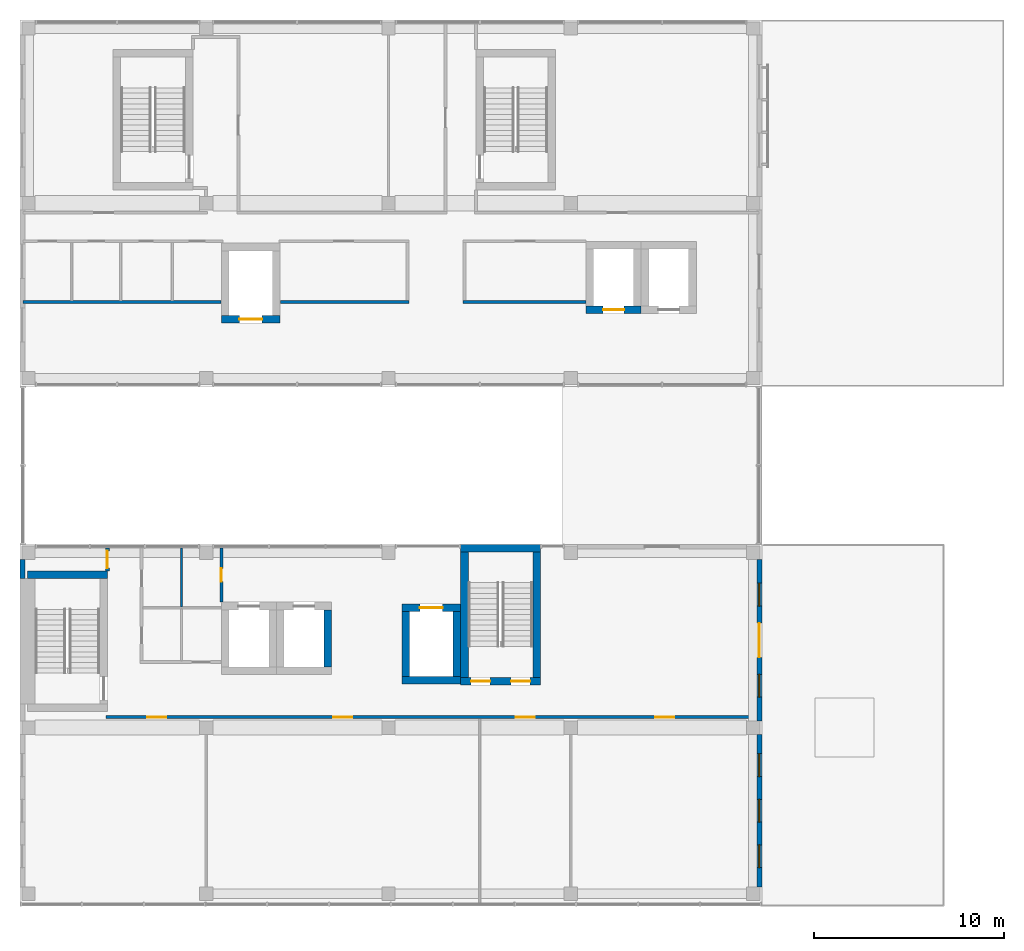
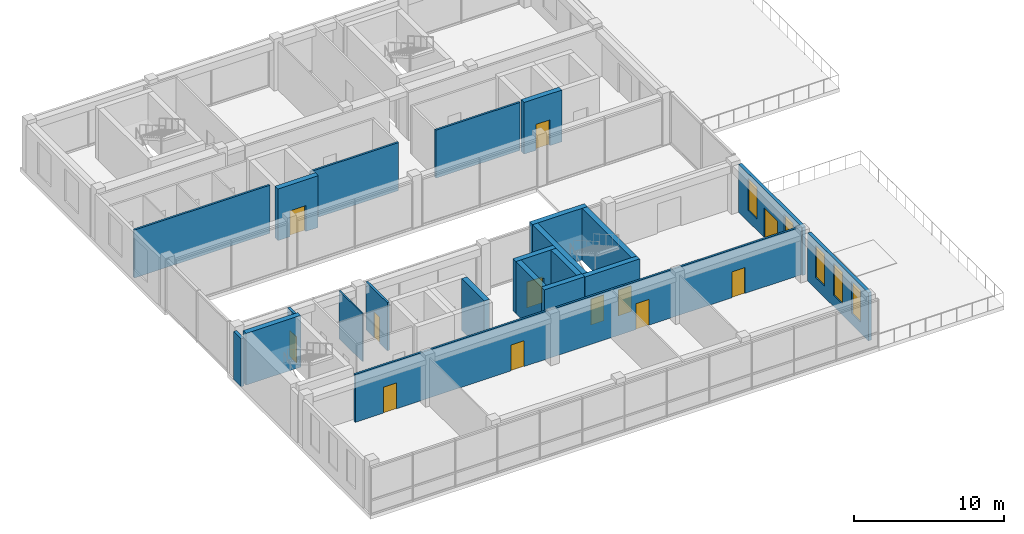
# One storey, part 19 of 27: 22 walls, 12 doors, 5 windows, 17 openings.
"""IFC4 building model written with IfcOpenShell, lengths in metres."""

from ifc_helpers import new_model, si_unit, direction, frame, frame_2d, origin, place, context, subcontext, project, spatial, rectangle, extrude, material, layer, layer_set, layer_usage, type_object, element, fill, save


model = new_model("IFC4")

# Units and contexts
model_context = context("Model", 3, precision=1e-05, world=origin(), true_north=direction((0.0, 1.0)))
body_context = subcontext(model_context, "Body", "Model", "MODEL_VIEW")
ifc_project = project(units=[si_unit("LENGTHUNIT", "METRE"), si_unit("AREAUNIT", "SQUARE_METRE"), si_unit("VOLUMEUNIT", "CUBIC_METRE"), si_unit("PLANEANGLEUNIT", "RADIAN"), si_unit("MASSUNIT", "GRAM", prefix="KILO")], contexts=[model_context])

# Site, building, storey
site_placement = place(None, origin())
site = spatial("IfcSite", under=ifc_project, at=site_placement, CompositionType="ELEMENT")
building_placement = place(site_placement, origin())
building = spatial("IfcBuilding", under=site, at=building_placement, Name="Nzadi Deep Aquarium and Research Tower", CompositionType="ELEMENT")
storey_placement = place(building_placement, frame((0.0, 0.0, 69.699951171875)))
storey = spatial("IfcBuildingStorey", under=building, at=storey_placement, Name="L14", CompositionType="ELEMENT", Elevation=69.699951171875)

# Wall, openings, windows, door
ifc_material_1 = material(Name="Concrete C35/45", Category="concrete")
ifc_layer_1 = layer(ifc_material_1, 0.14990234375, Category="cladding")
ifc_material_2 = material(Name="Mineral wool insulation")
ifc_layer_2 = layer(ifc_material_2, 0.070068359375, Category="insulation")
ifc_material_3 = material(Name="Gypsum board lining")
ifc_layer_3 = layer(ifc_material_3, 0.030029296875, Category="lining")
ifc_layer_set_1 = layer_set([ifc_layer_1, ifc_layer_2, ifc_layer_3], Name="Concrete C35/45, Mineral wool insulation, Gypsum board lining")
ifc_layer_usage_1 = layer_usage(ifc_layer_set_1, "AXIS2", "POSITIVE", -0.125)
wall_type_1 = type_object("IfcWallType", Name="End wall board-formed concrete 250", PredefinedType="ELEMENTEDWALL", material=ifc_layer_set_1)
wall_1_placement = place(storey_placement, frame((38.72509765625, 9.550048828125, 0.0), z_axis=(0.0, 0.0, 1.0), x_axis=(0.0, 1.0, 0.0)))
wall_1 = element("IfcWall", 1, at=wall_1_placement, inside=storey, type_object=wall_type_1, material=ifc_layer_usage_1, Name="End wall blade A east L14", PredefinedType="ELEMENTEDWALL", context=body_context, shape_type="SweptSolid", body=[
    extrude(rectangle(XDim=8.5, YDim=0.25, at=frame_2d((4.25, 0.0))), origin(), (0.0, 0.0, 1.0), 3.900146484375),
])
opening_1_placement = place(wall_1_placement, frame((3.35009765625, 0.0, 0.0)))
opening_1 = element("IfcOpeningElement", 2, at=opening_1_placement, cuts=wall_1, Name="Opening DE003", PredefinedType="OPENING", context=body_context, shape_type="SweptSolid", body=[
    extrude(rectangle(XDim=1.800048828125, YDim=2.39990234375, at=frame_2d((0.89990234375, 1.199951171875))), frame((0.0, 0.135009765625, 0.0), z_axis=(0.0, -1.0, 0.0), x_axis=(1.0, 0.0, 0.0)), (0.0, 0.0, 1.0), 0.27001953125),
])
opening_2_placement = place(wall_1_placement, frame((1.25, 0.0, 0.89990234375)))
opening_2 = element("IfcOpeningElement", 3, at=opening_2_placement, cuts=wall_1, Name="Opening WN04", PredefinedType="OPENING", context=body_context, shape_type="SweptSolid", body=[
    extrude(rectangle(XDim=1.199951171875, YDim=2.60009765625, at=frame_2d((0.60009765625, 1.300048828125))), frame((0.0, 0.135009765625, 0.0), z_axis=(0.0, -1.0, 0.0), x_axis=(1.0, 0.0, 0.0)), (0.0, 0.0, 1.0), 0.27001953125),
])
opening_3_placement = place(wall_1_placement, frame((6.050048828125, 0.0, 0.89990234375)))
opening_3 = element("IfcOpeningElement", 4, at=opening_3_placement, cuts=wall_1, Name="Opening WN04", PredefinedType="OPENING", context=body_context, shape_type="SweptSolid", body=[
    extrude(rectangle(XDim=1.199951171875, YDim=2.60009765625, at=frame_2d((0.60009765625, 1.300048828125))), frame((0.0, 0.135009765625, 0.0), z_axis=(0.0, -1.0, 0.0), x_axis=(1.0, 0.0, 0.0)), (0.0, 0.0, 1.0), 0.27001953125),
])
ifc_material_4 = material(Name="Aluminium window, sage tint glazing", Category="aluminium")
window_type = type_object("IfcWindowType", Name="Slot window 1200x2600 sill 900", PartitioningType="SINGLE_PANEL", PredefinedType="WINDOW", material=ifc_material_4)
window_1_placement = place(opening_2_placement, origin())
window_1 = element("IfcWindow", 5, at=window_1_placement, inside=storey, type_object=window_type, Name="Slot window L14 AE", OverallHeight=2.60009765625, OverallWidth=1.199951171875, PartitioningType="SINGLE_PANEL", PredefinedType="WINDOW", context=body_context, shape_type="SweptSolid", body=[
    extrude(rectangle(XDim=1.199951171875, YDim=2.60009765625, at=frame_2d((0.60009765625, 1.300048828125))), frame((0.0, 0.030029296875, 0.0), z_axis=(0.0, -1.0, 0.0), x_axis=(1.0, 0.0, 0.0)), (0.0, 0.0, 1.0), 0.06005859375),
])
fill(opening_2, window_1)
window_2_placement = place(opening_3_placement, origin())
window_2 = element("IfcWindow", 6, at=window_2_placement, inside=storey, type_object=window_type, Name="Slot window L14 AE", OverallHeight=2.60009765625, OverallWidth=1.199951171875, PartitioningType="SINGLE_PANEL", PredefinedType="WINDOW", context=body_context, shape_type="SweptSolid", body=[
    extrude(rectangle(XDim=1.199951171875, YDim=2.60009765625, at=frame_2d((0.60009765625, 1.300048828125))), frame((0.0, 0.030029296875, 0.0), z_axis=(0.0, -1.0, 0.0), x_axis=(1.0, 0.0, 0.0)), (0.0, 0.0, 1.0), 0.06005859375),
])
fill(opening_3, window_2)
ifc_material_5 = material(Name="Aluminium framed glazing", Category="aluminium")
door_type_1 = type_object("IfcDoorType", Name="Terrace double door 1800x2400", OperationType="DOUBLE_DOOR_SINGLE_SWING", PredefinedType="DOOR", material=ifc_material_5)
door_1_placement = place(opening_1_placement, frame((1.800048828125, 0.0, 0.0), z_axis=(0.0, 0.0, 1.0), x_axis=(-1.0, 0.0, 0.0)))
door_1 = element("IfcDoor", 7, at=door_1_placement, inside=storey, type_object=door_type_1, Name="Terrace door L14", OperationType="DOUBLE_DOOR_SINGLE_SWING", OverallHeight=2.39990234375, OverallWidth=1.800048828125, PredefinedType="DOOR", context=body_context, shape_type="SweptSolid", body=[
    extrude(rectangle(XDim=1.800048828125, YDim=2.39990234375, at=frame_2d((0.89990234375, 1.199951171875))), frame((0.0, 0.02490234375, 0.0), z_axis=(0.0, -1.0, 0.0), x_axis=(1.0, 0.0, 0.0)), (0.0, 0.0, 1.0), 0.050048828125),
])
fill(opening_1, door_1)

# Wall
ifc_material_6 = material(Name="Graphite aluminium shingle", Category="aluminium")
ifc_layer_4 = layer(ifc_material_6, 0.050048828125, Category="cladding")
ifc_layer_5 = layer(ifc_material_1, 0.10009765625, Category="cladding")
ifc_layer_6 = layer(ifc_material_2, 0.070068359375, Category="insulation")
ifc_layer_7 = layer(ifc_material_3, 0.030029296875, Category="lining")
ifc_layer_set_2 = layer_set([ifc_layer_4, ifc_layer_5, ifc_layer_6, ifc_layer_7], Name="Graphite aluminium shingle, Concrete C35/45, Mineral wool insulation, Gypsum board lining")
ifc_layer_usage_2 = layer_usage(ifc_layer_set_2, "AXIS2", "POSITIVE", -0.125)
wall_type_2 = type_object("IfcWallType", Name="End wall shingle over board-formed concrete 250", PredefinedType="ELEMENTEDWALL", material=ifc_layer_set_2)
wall_2_placement = place(storey_placement, frame((-0.074462890625, 18.050048828125, 0.0), z_axis=(0.0, 0.0, 1.0), x_axis=(0.0, -1.0, 0.0)))
element("IfcWall", 8, at=wall_2_placement, inside=storey, type_object=wall_type_2, material=ifc_layer_usage_2, Name="End wall blade A west L14", PredefinedType="ELEMENTEDWALL", context=body_context, shape_type="SweptSolid", body=[
    extrude(rectangle(XDim=1.0, YDim=0.25, at=frame_2d((0.5, 0.0))), origin(), (0.0, 0.0, 1.0), 3.900146484375),
])

# Wall, openings, windows
ifc_layer_usage_3 = layer_usage(ifc_layer_set_2, "AXIS2", "POSITIVE", -0.125)
wall_3_placement = place(storey_placement, frame((38.72509765625, 0.800048828125, 0.0), z_axis=(0.0, 0.0, 1.0), x_axis=(0.0, 1.0, 0.0)))
wall_3 = element("IfcWall", 9, at=wall_3_placement, inside=storey, type_object=wall_type_2, material=ifc_layer_usage_3, Name="End wall blade A east L14", PredefinedType="ELEMENTEDWALL", context=body_context, shape_type="SweptSolid", body=[
    extrude(rectangle(XDim=8.050048828125, YDim=0.25, at=frame_2d((4.02490234375, 0.0))), origin(), (0.0, 0.0, 1.0), 3.900146484375),
])
opening_4_placement = place(wall_3_placement, frame((1.02490234375, 0.0, 0.89990234375)))
opening_4 = element("IfcOpeningElement", 10, at=opening_4_placement, cuts=wall_3, Name="Opening WN04", PredefinedType="OPENING", context=body_context, shape_type="SweptSolid", body=[
    extrude(rectangle(XDim=1.199951171875, YDim=2.60009765625, at=frame_2d((0.60009765625, 1.300048828125))), frame((0.0, 0.135009765625, 0.0), z_axis=(0.0, -1.0, 0.0), x_axis=(1.0, 0.0, 0.0)), (0.0, 0.0, 1.0), 0.27001953125),
])
opening_5_placement = place(wall_3_placement, frame((3.425048828125, 0.0, 0.89990234375)))
opening_5 = element("IfcOpeningElement", 11, at=opening_5_placement, cuts=wall_3, Name="Opening WN04", PredefinedType="OPENING", context=body_context, shape_type="SweptSolid", body=[
    extrude(rectangle(XDim=1.199951171875, YDim=2.60009765625, at=frame_2d((0.60009765625, 1.300048828125))), frame((0.0, 0.135009765625, 0.0), z_axis=(0.0, -1.0, 0.0), x_axis=(1.0, 0.0, 0.0)), (0.0, 0.0, 1.0), 0.27001953125),
])
opening_6_placement = place(wall_3_placement, frame((5.824951171875, 0.0, 0.89990234375)))
opening_6 = element("IfcOpeningElement", 12, at=opening_6_placement, cuts=wall_3, Name="Opening WN04", PredefinedType="OPENING", context=body_context, shape_type="SweptSolid", body=[
    extrude(rectangle(XDim=1.199951171875, YDim=2.60009765625, at=frame_2d((0.60009765625, 1.300048828125))), frame((0.0, 0.135009765625, 0.0), z_axis=(0.0, -1.0, 0.0), x_axis=(1.0, 0.0, 0.0)), (0.0, 0.0, 1.0), 0.27001953125),
])
window_3_placement = place(opening_4_placement, origin())
window_3 = element("IfcWindow", 13, at=window_3_placement, inside=storey, type_object=window_type, Name="Slot window L14 AE", OverallHeight=2.60009765625, OverallWidth=1.199951171875, PartitioningType="SINGLE_PANEL", PredefinedType="WINDOW", context=body_context, shape_type="SweptSolid", body=[
    extrude(rectangle(XDim=1.199951171875, YDim=2.60009765625, at=frame_2d((0.60009765625, 1.300048828125))), frame((0.0, 0.030029296875, 0.0), z_axis=(0.0, -1.0, 0.0), x_axis=(1.0, 0.0, 0.0)), (0.0, 0.0, 1.0), 0.06005859375),
])
fill(opening_4, window_3)
window_4_placement = place(opening_5_placement, origin())
window_4 = element("IfcWindow", 14, at=window_4_placement, inside=storey, type_object=window_type, Name="Slot window L14 AE", OverallHeight=2.60009765625, OverallWidth=1.199951171875, PartitioningType="SINGLE_PANEL", PredefinedType="WINDOW", context=body_context, shape_type="SweptSolid", body=[
    extrude(rectangle(XDim=1.199951171875, YDim=2.60009765625, at=frame_2d((0.60009765625, 1.300048828125))), frame((0.0, 0.030029296875, 0.0), z_axis=(0.0, -1.0, 0.0), x_axis=(1.0, 0.0, 0.0)), (0.0, 0.0, 1.0), 0.06005859375),
])
fill(opening_5, window_4)
window_5_placement = place(opening_6_placement, origin())
window_5 = element("IfcWindow", 15, at=window_5_placement, inside=storey, type_object=window_type, Name="Slot window L14 AE", OverallHeight=2.60009765625, OverallWidth=1.199951171875, PartitioningType="SINGLE_PANEL", PredefinedType="WINDOW", context=body_context, shape_type="SweptSolid", body=[
    extrude(rectangle(XDim=1.199951171875, YDim=2.60009765625, at=frame_2d((0.60009765625, 1.300048828125))), frame((0.0, 0.030029296875, 0.0), z_axis=(0.0, -1.0, 0.0), x_axis=(1.0, 0.0, 0.0)), (0.0, 0.0, 1.0), 0.06005859375),
])
fill(opening_6, window_5)

# Walls
ifc_material_7 = material(Name="Blockwork masonry", Category="masonry")
ifc_layer_8 = layer(ifc_material_7, 0.10009765625)
ifc_layer_set_3 = layer_set([ifc_layer_8], Name="Blockwork masonry")
wall_type_3 = type_object("IfcWallType", Name="Partition 100 EI 30", PredefinedType="PARTITIONING", material=ifc_layer_set_3)
wall_4_placement = place(storey_placement, frame((8.300048828125, 15.550048828125, 0.0), z_axis=(0.0, 0.0, 1.0), x_axis=(0.0, 1.0, 0.0)))
element("IfcWall", 16, at=wall_4_placement, inside=storey, type_object=wall_type_3, Name="W-Z1-L14-P013", PredefinedType="PARTITIONING", context=body_context, shape_type="SweptSolid", body=[
    extrude(rectangle(XDim=3.093994140625, YDim=0.10009765625, at=frame_2d((1.546875, 0.0))), origin(), (0.0, 0.0, 1.0), 3.900146484375),
])
ifc_material_8 = material(Name="Blockwork masonry", Category="masonry")
ifc_layer_9 = layer(ifc_material_8, 0.14990234375)
ifc_layer_set_4 = layer_set([ifc_layer_9], Name="Blockwork masonry")
wall_type_4 = type_object("IfcWallType", Name="Partition 150 EI 60", PredefinedType="PARTITIONING", material=ifc_layer_set_4)
wall_5_placement = place(storey_placement, frame((-0.0439453125, 31.60009765625, 0.0), z_axis=(0.0, 0.0, 1.0), x_axis=(1.0, 0.0, 0.0)))
element("IfcWall", 17, at=wall_5_placement, inside=storey, type_object=wall_type_4, Name="W-Z1-L14-P001", PredefinedType="PARTITIONING", context=body_context, shape_type="SweptSolid", body=[
    extrude(rectangle(XDim=10.43798828125, YDim=0.14990234375, at=frame_2d((5.218994140625, 0.0))), origin(), (0.0, 0.0, 1.0), 3.900146484375),
])

# Wall, openings, doors
wall_6_placement = place(storey_placement, frame((4.324951171875, 9.75, 0.0), z_axis=(0.0, 0.0, 1.0), x_axis=(1.0, 0.0, 0.0)))
wall_6 = element("IfcWall", 18, at=wall_6_placement, inside=storey, type_object=wall_type_4, Name="W-Z1-L14-P006", PredefinedType="PARTITIONING", context=body_context, shape_type="SweptSolid", body=[
    extrude(rectangle(XDim=34.369140625, YDim=0.14990234375, at=frame_2d((17.1845703125, 0.0))), origin(), (0.0, 0.0, 1.0), 3.900146484375),
])
opening_7_placement = place(wall_6_placement, frame((2.175048828125, 0.0, 0.0)))
opening_7 = element("IfcOpeningElement", 19, at=opening_7_placement, cuts=wall_6, Name="Opening D151006", PredefinedType="OPENING", context=body_context, shape_type="SweptSolid", body=[
    extrude(rectangle(XDim=1.0, YDim=2.10009765625, at=frame_2d((0.5, 1.050048828125))), frame((0.0, 0.0849609375, 0.0), z_axis=(0.0, -1.0, 0.0), x_axis=(1.0, 0.0, 0.0)), (0.0, 0.0, 1.0), 0.169921875),
])
opening_8_placement = place(wall_6_placement, frame((11.97509765625, 0.0, 0.0)))
opening_8 = element("IfcOpeningElement", 20, at=opening_8_placement, cuts=wall_6, Name="Opening D151007", PredefinedType="OPENING", context=body_context, shape_type="SweptSolid", body=[
    extrude(rectangle(XDim=1.0, YDim=2.10009765625, at=frame_2d((0.5, 1.050048828125))), frame((0.0, 0.0849609375, 0.0), z_axis=(0.0, -1.0, 0.0), x_axis=(1.0, 0.0, 0.0)), (0.0, 0.0, 1.0), 0.169921875),
])
opening_9_placement = place(wall_6_placement, frame((21.574951171875, 0.0, 0.0)))
opening_9 = element("IfcOpeningElement", 21, at=opening_9_placement, cuts=wall_6, Name="Opening D151008", PredefinedType="OPENING", context=body_context, shape_type="SweptSolid", body=[
    extrude(rectangle(XDim=1.0, YDim=2.10009765625, at=frame_2d((0.5, 1.050048828125))), frame((0.0, 0.0849609375, 0.0), z_axis=(0.0, -1.0, 0.0), x_axis=(1.0, 0.0, 0.0)), (0.0, 0.0, 1.0), 0.169921875),
])
opening_10_placement = place(wall_6_placement, frame((28.925048828125, 0.0, 0.0)))
opening_10 = element("IfcOpeningElement", 22, at=opening_10_placement, cuts=wall_6, Name="Opening D151009", PredefinedType="OPENING", context=body_context, shape_type="SweptSolid", body=[
    extrude(rectangle(XDim=1.0, YDim=2.10009765625, at=frame_2d((0.5, 1.050048828125))), frame((0.0, 0.0849609375, 0.0), z_axis=(0.0, -1.0, 0.0), x_axis=(1.0, 0.0, 0.0)), (0.0, 0.0, 1.0), 0.169921875),
])
ifc_material_9 = material(Name="Fire-rated steel door", Category="steel")
ifc_layer_10 = layer(ifc_material_9, 0.050048828125)
ifc_layer_set_5 = layer_set([ifc_layer_10], Name="Fire-rated steel door")
door_type_2 = type_object("IfcDoorType", Name="Door 1000x2100 EI 60 single", OperationType="SINGLE_SWING_LEFT", PredefinedType="DOOR", material=ifc_layer_set_5)
door_2_placement = place(opening_7_placement, origin())
door_2 = element("IfcDoor", 23, at=door_2_placement, inside=storey, type_object=door_type_2, Name="D151006", OperationType="SINGLE_SWING_RIGHT", OverallHeight=2.10009765625, OverallWidth=1.0, PredefinedType="DOOR", context=body_context, shape_type="SweptSolid", body=[
    extrude(rectangle(XDim=1.0, YDim=2.10009765625, at=frame_2d((0.5, 1.050048828125))), frame((0.0, 0.02490234375, 0.0), z_axis=(0.0, -1.0, 0.0), x_axis=(1.0, 0.0, 0.0)), (0.0, 0.0, 1.0), 0.050048828125),
])
fill(opening_7, door_2)
door_3_placement = place(opening_8_placement, origin())
door_3 = element("IfcDoor", 24, at=door_3_placement, inside=storey, type_object=door_type_2, Name="D151007", OperationType="SINGLE_SWING_RIGHT", OverallHeight=2.10009765625, OverallWidth=1.0, PredefinedType="DOOR", context=body_context, shape_type="SweptSolid", body=[
    extrude(rectangle(XDim=1.0, YDim=2.10009765625, at=frame_2d((0.5, 1.050048828125))), frame((0.0, 0.02490234375, 0.0), z_axis=(0.0, -1.0, 0.0), x_axis=(1.0, 0.0, 0.0)), (0.0, 0.0, 1.0), 0.050048828125),
])
fill(opening_8, door_3)
door_4_placement = place(opening_9_placement, origin())
door_4 = element("IfcDoor", 25, at=door_4_placement, inside=storey, type_object=door_type_2, Name="D151008", OperationType="SINGLE_SWING_LEFT", OverallHeight=2.10009765625, OverallWidth=1.0, PredefinedType="DOOR", context=body_context, shape_type="SweptSolid", body=[
    extrude(rectangle(XDim=1.0, YDim=2.10009765625, at=frame_2d((0.5, 1.050048828125))), frame((0.0, 0.02490234375, 0.0), z_axis=(0.0, -1.0, 0.0), x_axis=(1.0, 0.0, 0.0)), (0.0, 0.0, 1.0), 0.050048828125),
])
fill(opening_9, door_4)
door_5_placement = place(opening_10_placement, origin())
door_5 = element("IfcDoor", 26, at=door_5_placement, inside=storey, type_object=door_type_2, Name="D151009", OperationType="SINGLE_SWING_LEFT", OverallHeight=2.10009765625, OverallWidth=1.0, PredefinedType="DOOR", context=body_context, shape_type="SweptSolid", body=[
    extrude(rectangle(XDim=1.0, YDim=2.10009765625, at=frame_2d((0.5, 1.050048828125))), frame((0.0, 0.02490234375, 0.0), z_axis=(0.0, -1.0, 0.0), x_axis=(1.0, 0.0, 0.0)), (0.0, 0.0, 1.0), 0.050048828125),
])
fill(opening_10, door_5)

# Wall, opening, door
wall_7_placement = place(storey_placement, frame((10.39990234375, 15.805908203125, 0.0), z_axis=(0.0, 0.0, 1.0), x_axis=(0.0, 1.0, 0.0)))
wall_7 = element("IfcWall", 27, at=wall_7_placement, inside=storey, type_object=wall_type_4, Name="W-Z1-L14-P019", PredefinedType="PARTITIONING", context=body_context, shape_type="SweptSolid", body=[
    extrude(rectangle(XDim=2.838134765625, YDim=0.14990234375, at=frame_2d((1.4189453125, 0.0))), origin(), (0.0, 0.0, 1.0), 3.900146484375),
])
opening_11_placement = place(wall_7_placement, frame((1.073974609375, 0.0, 0.0)))
opening_11 = element("IfcOpeningElement", 28, at=opening_11_placement, cuts=wall_7, Name="Opening D151005", PredefinedType="OPENING", context=body_context, shape_type="SweptSolid", body=[
    extrude(rectangle(XDim=0.699951171875, YDim=2.10009765625, at=frame_2d((0.35009765625, 1.050048828125))), frame((0.0, 0.0849609375, 0.0), z_axis=(0.0, -1.0, 0.0), x_axis=(1.0, 0.0, 0.0)), (0.0, 0.0, 1.0), 0.169921875),
])
ifc_material_10 = material(Name="Fire-rated steel door", Category="steel")
ifc_layer_11 = layer(ifc_material_10, 0.050048828125)
ifc_layer_set_6 = layer_set([ifc_layer_11], Name="Fire-rated steel door")
door_type_3 = type_object("IfcDoorType", Name="Door 700x2100 EI 60 single", OperationType="SINGLE_SWING_LEFT", PredefinedType="DOOR", material=ifc_layer_set_6)
door_6_placement = place(opening_11_placement, origin())
door_6 = element("IfcDoor", 29, at=door_6_placement, inside=storey, type_object=door_type_3, Name="D151005", OperationType="SINGLE_SWING_LEFT", OverallHeight=2.10009765625, OverallWidth=0.699951171875, PredefinedType="DOOR", context=body_context, shape_type="SweptSolid", body=[
    extrude(rectangle(XDim=0.699951171875, YDim=2.10009765625, at=frame_2d((0.35009765625, 1.050048828125))), frame((0.0, 0.02490234375, 0.0), z_axis=(0.0, -1.0, 0.0), x_axis=(1.0, 0.0, 0.0)), (0.0, 0.0, 1.0), 0.050048828125),
])
fill(opening_11, door_6)

# Walls
wall_8_placement = place(storey_placement, frame((13.506103515625, 31.60009765625, 0.0), z_axis=(0.0, 0.0, 1.0), x_axis=(1.0, 0.0, 0.0)))
element("IfcWall", 30, at=wall_8_placement, inside=storey, type_object=wall_type_4, Name="W-Z1-L14-P023", PredefinedType="PARTITIONING", context=body_context, shape_type="SweptSolid", body=[
    extrude(rectangle(XDim=6.768798828125, YDim=0.14990234375, at=frame_2d((3.38427734375, 0.0))), origin(), (0.0, 0.0, 1.0), 3.900146484375),
])
wall_9_placement = place(storey_placement, frame((23.125, 31.60009765625, 0.0), z_axis=(0.0, 0.0, 1.0), x_axis=(1.0, 0.0, 0.0)))
element("IfcWall", 31, at=wall_9_placement, inside=storey, type_object=wall_type_4, Name="W-Z1-L14-P027", PredefinedType="PARTITIONING", context=body_context, shape_type="SweptSolid", body=[
    extrude(rectangle(XDim=6.468994140625, YDim=0.14990234375, at=frame_2d((3.234375, 0.0))), origin(), (0.0, 0.0, 1.0), 3.900146484375),
])

# Wall, opening, door
ifc_material_11 = material(Name="Blockwork masonry", Category="masonry")
ifc_layer_12 = layer(ifc_material_11, 0.199951171875)
ifc_layer_set_7 = layer_set([ifc_layer_12], Name="Blockwork masonry")
wall_type_5 = type_object("IfcWallType", Name="Partition 200 EI 120", PredefinedType="PARTITIONING", material=ifc_layer_set_7)
wall_10_placement = place(storey_placement, frame((4.39990234375, 17.4560546875, 0.0), z_axis=(0.0, 0.0, 1.0), x_axis=(0.0, 1.0, 0.0)))
wall_10 = element("IfcWall", 32, at=wall_10_placement, inside=storey, type_object=wall_type_5, Name="W-Z1-L14-P005", PredefinedType="PARTITIONING", context=body_context, shape_type="SweptSolid", body=[
    extrude(rectangle(XDim=1.18798828125, YDim=0.199951171875, at=frame_2d((0.593994140625, 0.0))), origin(), (0.0, 0.0, 1.0), 3.900146484375),
])
opening_12_placement = place(wall_10_placement, frame((0.14404296875, 0.0, 0.0)))
opening_12 = element("IfcOpeningElement", 33, at=opening_12_placement, cuts=wall_10, Name="Opening D151001", PredefinedType="OPENING", context=body_context, shape_type="SweptSolid", body=[
    extrude(rectangle(XDim=0.89990234375, YDim=2.10009765625, at=frame_2d((0.449951171875, 1.050048828125))), frame((0.0, 0.110107421875, 0.0), z_axis=(0.0, -1.0, 0.0), x_axis=(1.0, 0.0, 0.0)), (0.0, 0.0, 1.0), 0.22021484375),
])
ifc_material_12 = material(Name="Fire-rated steel door", Category="steel")
ifc_layer_13 = layer(ifc_material_12, 0.050048828125)
ifc_layer_set_8 = layer_set([ifc_layer_13], Name="Fire-rated steel door")
door_type_4 = type_object("IfcDoorType", Name="Door 900x2100 EI 120 single", OperationType="SINGLE_SWING_LEFT", PredefinedType="DOOR", material=ifc_layer_set_8)
door_7_placement = place(opening_12_placement, origin())
door_7 = element("IfcDoor", 34, at=door_7_placement, inside=storey, type_object=door_type_4, Name="D151001", OperationType="SINGLE_SWING_LEFT", OverallHeight=2.10009765625, OverallWidth=0.89990234375, PredefinedType="DOOR", context=body_context, shape_type="SweptSolid", body=[
    extrude(rectangle(XDim=0.89990234375, YDim=2.10009765625, at=frame_2d((0.449951171875, 1.050048828125))), frame((0.0, 0.02490234375, 0.0), z_axis=(0.0, -1.0, 0.0), x_axis=(1.0, 0.0, 0.0)), (0.0, 0.0, 1.0), 0.050048828125),
])
fill(opening_12, door_7)

# Wall
ifc_material_13 = material(Name="Concrete C35/45", Category="concrete")
ifc_layer_14 = layer(ifc_material_13, 0.39990234375)
ifc_layer_set_9 = layer_set([ifc_layer_14], Name="Concrete C35/45")
wall_type_6 = type_object("IfcWallType", Name="RC core wall 400", PredefinedType="SHEAR", material=ifc_layer_set_9)
wall_11_placement = place(storey_placement, frame((0.199951171875, 17.25, 0.0), z_axis=(0.0, 0.0, 1.0), x_axis=(1.0, 0.0, 0.0)))
element("IfcWall", 35, at=wall_11_placement, inside=storey, type_object=wall_type_6, Name="W-CORE-ST-Z1-SW-L14-N", PredefinedType="SHEAR", context=body_context, shape_type="SweptSolid", body=[
    extrude(rectangle(XDim=4.199951171875, YDim=0.39990234375, at=frame_2d((2.10009765625, 0.0))), origin(), (0.0, 0.0, 1.0), 4.199951171875),
])

# Wall, openings, doors
wall_12_placement = place(storey_placement, frame((23.0, 11.64990234375, 0.0), z_axis=(0.0, 0.0, 1.0), x_axis=(1.0, 0.0, 0.0)))
wall_12 = element("IfcWall", 36, at=wall_12_placement, inside=storey, type_object=wall_type_6, Name="W-CORE-ST-Z1-SE-L14-S", PredefinedType="SHEAR", context=body_context, shape_type="SweptSolid", body=[
    extrude(rectangle(XDim=4.199951171875, YDim=0.39990234375, at=frame_2d((2.10009765625, 0.0))), origin(), (0.0, 0.0, 1.0), 4.199951171875),
])
opening_13_placement = place(wall_12_placement, frame((0.550048828125, 0.0, 0.0)))
opening_13 = element("IfcOpeningElement", 37, at=opening_13_placement, cuts=wall_12, Name="Opening DS-Z1-SE-L14A", PredefinedType="OPENING", context=body_context, shape_type="SweptSolid", body=[
    extrude(rectangle(XDim=1.0, YDim=2.10009765625, at=frame_2d((0.5, 1.050048828125))), frame((0.0, 0.2099609375, 0.0), z_axis=(0.0, -1.0, 0.0), x_axis=(1.0, 0.0, 0.0)), (0.0, 0.0, 1.0), 0.419921875),
])
opening_14_placement = place(wall_12_placement, frame((2.64990234375, 0.0, 0.0)))
opening_14 = element("IfcOpeningElement", 38, at=opening_14_placement, cuts=wall_12, Name="Opening DS-Z1-SE-L14B", PredefinedType="OPENING", context=body_context, shape_type="SweptSolid", body=[
    extrude(rectangle(XDim=1.0, YDim=2.10009765625, at=frame_2d((0.5, 1.050048828125))), frame((0.0, 0.2099609375, 0.0), z_axis=(0.0, -1.0, 0.0), x_axis=(1.0, 0.0, 0.0)), (0.0, 0.0, 1.0), 0.419921875),
])
ifc_material_14 = material(Name="Steel, powder coated", Category="steel")
door_type_5 = type_object("IfcDoorType", Name="STAIR DOOR 1000x2100 EI 60", OperationType="SINGLE_SWING_LEFT", PredefinedType="DOOR", material=ifc_material_14)
door_8_placement = place(opening_13_placement, origin())
door_8 = element("IfcDoor", 39, at=door_8_placement, inside=storey, type_object=door_type_5, Name="Stair door ST-Z1-SE L14 A", OperationType="SINGLE_SWING_RIGHT", OverallHeight=2.10009765625, OverallWidth=1.0, PredefinedType="DOOR", context=body_context, shape_type="SweptSolid", body=[
    extrude(rectangle(XDim=1.0, YDim=2.10009765625, at=frame_2d((0.5, 1.050048828125))), frame((0.0, 0.02490234375, 0.0), z_axis=(0.0, -1.0, 0.0), x_axis=(1.0, 0.0, 0.0)), (0.0, 0.0, 1.0), 0.050048828125),
])
fill(opening_13, door_8)
door_9_placement = place(opening_14_placement, origin())
door_9 = element("IfcDoor", 40, at=door_9_placement, inside=storey, type_object=door_type_5, Name="Stair door ST-Z1-SE L14 B", OperationType="SINGLE_SWING_LEFT", OverallHeight=2.10009765625, OverallWidth=1.0, PredefinedType="DOOR", context=body_context, shape_type="SweptSolid", body=[
    extrude(rectangle(XDim=1.0, YDim=2.10009765625, at=frame_2d((0.5, 1.050048828125))), frame((0.0, 0.02490234375, 0.0), z_axis=(0.0, -1.0, 0.0), x_axis=(1.0, 0.0, 0.0)), (0.0, 0.0, 1.0), 0.050048828125),
])
fill(opening_14, door_9)

# Walls
wall_13_placement = place(storey_placement, frame((23.0, 18.64990234375, 0.0), z_axis=(0.0, 0.0, 1.0), x_axis=(1.0, 0.0, 0.0)))
element("IfcWall", 41, at=wall_13_placement, inside=storey, type_object=wall_type_6, Name="W-CORE-ST-Z1-SE-L14-N", PredefinedType="SHEAR", context=body_context, shape_type="SweptSolid", body=[
    extrude(rectangle(XDim=4.199951171875, YDim=0.39990234375, at=frame_2d((2.10009765625, 0.0))), origin(), (0.0, 0.0, 1.0), 4.199951171875),
])
for number, where, z_axis, x_axis, name in (
    (42, (23.199951171875, 11.85009765625, 0.0), (0.0, 0.0, 1.0), (0.0, 1.0, 0.0), "W-CORE-ST-Z1-SE-L14-W"),
    (43, (27.0, 11.85009765625, 0.0), (0.0, 0.0, 1.0), (0.0, 1.0, 0.0), "W-CORE-ST-Z1-SE-L14-E"),
):
    element("IfcWall", number, at=place(storey_placement, frame(where, z_axis=z_axis, x_axis=x_axis)), inside=storey, type_object=wall_type_6, Name=name, PredefinedType="SHEAR", context=body_context, shape_type="SweptSolid", body=[
        extrude(rectangle(XDim=6.599853515625, YDim=0.39990234375, at=frame_2d((3.2998046875, 0.0))), origin(), (0.0, 0.0, 1.0), 4.199951171875),
    ])
wall_14_placement = place(storey_placement, frame((16.0, 12.39990234375, 0.0), z_axis=(0.0, 0.0, 1.0), x_axis=(0.0, 1.0, 0.0)))
element("IfcWall", 44, at=wall_14_placement, inside=storey, type_object=wall_type_6, Name="W-CORE-TL2-L14-E", PredefinedType="SHEAR", context=body_context, shape_type="SweptSolid", body=[
    extrude(rectangle(XDim=3.0, YDim=0.39990234375, at=frame_2d((1.5, 0.0))), origin(), (0.0, 0.0, 1.0), 4.199951171875),
])
wall_15_placement = place(storey_placement, frame((19.89990234375, 11.699951171875, 0.0), z_axis=(0.0, 0.0, 1.0), x_axis=(1.0, 0.0, 0.0)))
element("IfcWall", 45, at=wall_15_placement, inside=storey, type_object=wall_type_6, Name="W-CORE-FL1-L14-S", PredefinedType="SHEAR", context=body_context, shape_type="SweptSolid", body=[
    extrude(rectangle(XDim=3.10009765625, YDim=0.39990234375, at=frame_2d((1.550048828125, 0.0))), origin(), (0.0, 0.0, 1.0), 4.199951171875),
])

# Wall, opening, door
wall_16_placement = place(storey_placement, frame((19.89990234375, 15.5, 0.0), z_axis=(0.0, 0.0, 1.0), x_axis=(1.0, 0.0, 0.0)))
wall_16 = element("IfcWall", 46, at=wall_16_placement, inside=storey, type_object=wall_type_6, Name="W-CORE-FL1-L14-N", PredefinedType="SHEAR", context=body_context, shape_type="SweptSolid", body=[
    extrude(rectangle(XDim=3.10009765625, YDim=0.39990234375, at=frame_2d((1.550048828125, 0.0))), origin(), (0.0, 0.0, 1.0), 4.199951171875),
])
opening_15_placement = place(wall_16_placement, frame((0.949951171875, 0.0, 0.0)))
opening_15 = element("IfcOpeningElement", 47, at=opening_15_placement, cuts=wall_16, Name="Opening LD-FL1-L14", PredefinedType="OPENING", context=body_context, shape_type="SweptSolid", body=[
    extrude(rectangle(XDim=1.199951171875, YDim=2.10009765625, at=frame_2d((0.60009765625, 1.050048828125))), frame((0.0, 0.2099609375, 0.0), z_axis=(0.0, -1.0, 0.0), x_axis=(1.0, 0.0, 0.0)), (0.0, 0.0, 1.0), 0.419921875),
])
ifc_material_15 = material(Name="Stainless steel 1.4301", Category="steel")
door_type_6 = type_object("IfcDoorType", Name="LANDING DOOR 1200x2100", OperationType="DOUBLE_DOOR_SLIDING", PredefinedType="DOOR", material=ifc_material_15)
door_10_placement = place(opening_15_placement, origin())
door_10 = element("IfcDoor", 48, at=door_10_placement, inside=storey, type_object=door_type_6, Name="Landing door FL1 L14", OperationType="DOUBLE_DOOR_SLIDING", OverallHeight=2.10009765625, OverallWidth=1.199951171875, PredefinedType="DOOR", context=body_context, shape_type="SweptSolid", body=[
    extrude(rectangle(XDim=1.199951171875, YDim=2.10009765625, at=frame_2d((0.60009765625, 1.050048828125))), frame((0.0, 0.02490234375, 0.0), z_axis=(0.0, -1.0, 0.0), x_axis=(1.0, 0.0, 0.0)), (0.0, 0.0, 1.0), 0.050048828125),
])
fill(opening_15, door_10)

# Walls
for number, where, z_axis, x_axis, name in (
    (49, (20.10009765625, 11.89990234375, 0.0), (0.0, 0.0, 1.0), (0.0, 1.0, 0.0), "W-CORE-FL1-L14-W"),
    (50, (22.800048828125, 11.89990234375, 0.0), (0.0, 0.0, 1.0), (0.0, 1.0, 0.0), "W-CORE-FL1-L14-E"),
):
    element("IfcWall", number, at=place(storey_placement, frame(where, z_axis=z_axis, x_axis=x_axis)), inside=storey, type_object=wall_type_6, Name=name, PredefinedType="SHEAR", context=body_context, shape_type="SweptSolid", body=[
        extrude(rectangle(XDim=3.400146484375, YDim=0.39990234375, at=frame_2d((1.7001953125, 0.0))), origin(), (0.0, 0.0, 1.0), 4.199951171875),
    ])

# Wall, opening, door
wall_17_placement = place(storey_placement, frame((10.39990234375, 30.699951171875, 0.0), z_axis=(0.0, 0.0, 1.0), x_axis=(1.0, 0.0, 0.0)))
wall_17 = element("IfcWall", 51, at=wall_17_placement, inside=storey, type_object=wall_type_6, Name="W-CORE-FL2-L14-S", PredefinedType="SHEAR", context=body_context, shape_type="SweptSolid", body=[
    extrude(rectangle(XDim=3.10009765625, YDim=0.39990234375, at=frame_2d((1.550048828125, 0.0))), origin(), (0.0, 0.0, 1.0), 4.199951171875),
])
opening_16_placement = place(wall_17_placement, frame((0.949951171875, 0.0, 0.0)))
opening_16 = element("IfcOpeningElement", 52, at=opening_16_placement, cuts=wall_17, Name="Opening LD-FL2-L14", PredefinedType="OPENING", context=body_context, shape_type="SweptSolid", body=[
    extrude(rectangle(XDim=1.199951171875, YDim=2.10009765625, at=frame_2d((0.60009765625, 1.050048828125))), frame((0.0, 0.2099609375, 0.0), z_axis=(0.0, -1.0, 0.0), x_axis=(1.0, 0.0, 0.0)), (0.0, 0.0, 1.0), 0.419921875),
])
door_11_placement = place(opening_16_placement, origin())
door_11 = element("IfcDoor", 53, at=door_11_placement, inside=storey, type_object=door_type_6, Name="Landing door FL2 L14", OperationType="DOUBLE_DOOR_SLIDING", OverallHeight=2.10009765625, OverallWidth=1.199951171875, PredefinedType="DOOR", context=body_context, shape_type="SweptSolid", body=[
    extrude(rectangle(XDim=1.199951171875, YDim=2.10009765625, at=frame_2d((0.60009765625, 1.050048828125))), frame((0.0, 0.02490234375, 0.0), z_axis=(0.0, -1.0, 0.0), x_axis=(1.0, 0.0, 0.0)), (0.0, 0.0, 1.0), 0.050048828125),
])
fill(opening_16, door_11)

wall_18_placement = place(storey_placement, frame((29.60009765625, 31.199951171875, 0.0), z_axis=(0.0, 0.0, 1.0), x_axis=(1.0, 0.0, 0.0)))
wall_18 = element("IfcWall", 54, at=wall_18_placement, inside=storey, type_object=wall_type_6, Name="W-CORE-TL3-L14-S", PredefinedType="SHEAR", context=body_context, shape_type="SweptSolid", body=[
    extrude(rectangle(XDim=2.89990234375, YDim=0.39990234375, at=frame_2d((1.449951171875, 0.0))), origin(), (0.0, 0.0, 1.0), 4.199951171875),
])
opening_17_placement = place(wall_18_placement, frame((0.89990234375, 0.0, 0.0)))
opening_17 = element("IfcOpeningElement", 55, at=opening_17_placement, cuts=wall_18, Name="Opening LD-TL3-L14", PredefinedType="OPENING", context=body_context, shape_type="SweptSolid", body=[
    extrude(rectangle(XDim=1.10009765625, YDim=2.10009765625, at=frame_2d((0.550048828125, 1.050048828125))), frame((0.0, 0.2099609375, 0.0), z_axis=(0.0, -1.0, 0.0), x_axis=(1.0, 0.0, 0.0)), (0.0, 0.0, 1.0), 0.419921875),
])
ifc_material_16 = material(Name="Stainless steel 1.4301", Category="steel")
door_type_7 = type_object("IfcDoorType", Name="LANDING DOOR 1100x2100", OperationType="DOUBLE_DOOR_SLIDING", PredefinedType="DOOR", material=ifc_material_16)
door_12_placement = place(opening_17_placement, origin())
door_12 = element("IfcDoor", 56, at=door_12_placement, inside=storey, type_object=door_type_7, Name="Landing door TL3 L14", OperationType="DOUBLE_DOOR_SLIDING", OverallHeight=2.10009765625, OverallWidth=1.10009765625, PredefinedType="DOOR", context=body_context, shape_type="SweptSolid", body=[
    extrude(rectangle(XDim=1.10009765625, YDim=2.10009765625, at=frame_2d((0.550048828125, 1.050048828125))), frame((0.0, 0.02490234375, 0.0), z_axis=(0.0, -1.0, 0.0), x_axis=(1.0, 0.0, 0.0)), (0.0, 0.0, 1.0), 0.050048828125),
])
fill(opening_17, door_12)

save(model, "model.ifc")
